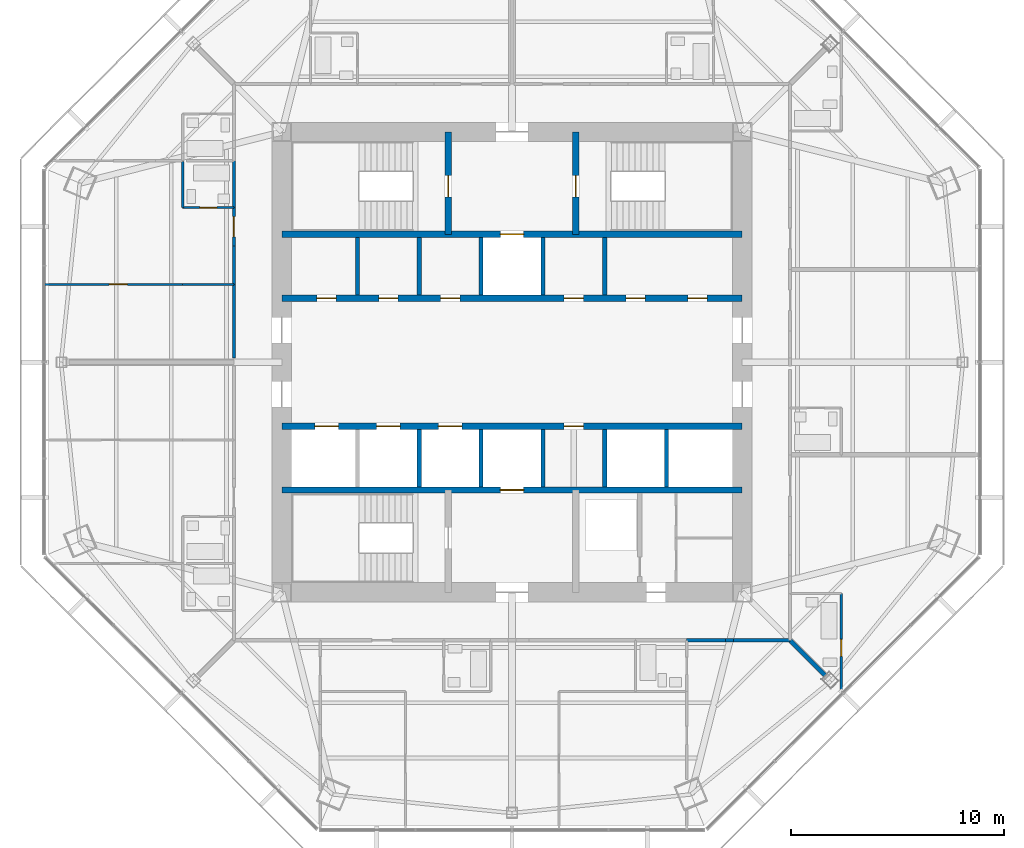
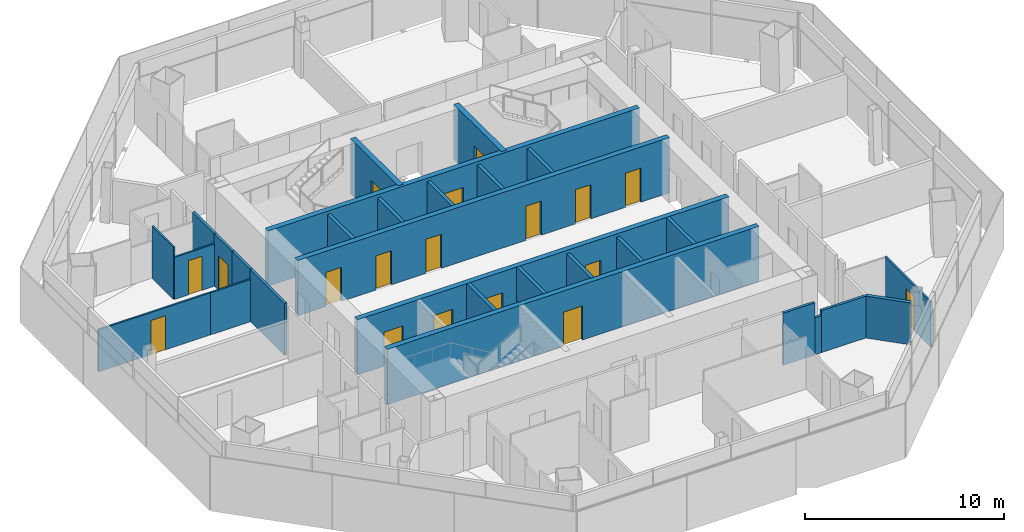
# One storey, part 10 of 15: 29 walls, 18 doors, 18 openings.
"""IFC4 building model written with IfcOpenShell, lengths in metres."""

from ifc_helpers import new_model, si_unit, direction, frame, frame_2d, origin, place, context, subcontext, project, spatial, rectangle, extrude, material, layer, layer_set, type_object, element, fill, save


model = new_model("IFC4")

# Units and contexts
model_context = context("Model", 3, precision=1e-05, world=origin(), true_north=direction((0.0, 1.0)))
body_context = subcontext(model_context, "Body", "Model", "MODEL_VIEW")
ifc_project = project(units=[si_unit("LENGTHUNIT", "METRE"), si_unit("AREAUNIT", "SQUARE_METRE"), si_unit("VOLUMEUNIT", "CUBIC_METRE"), si_unit("PLANEANGLEUNIT", "RADIAN"), si_unit("MASSUNIT", "GRAM", prefix="KILO")], contexts=[model_context])

# Site, building, storey
site_placement = place(None, origin())
site = spatial("IfcSite", under=ifc_project, at=site_placement, CompositionType="ELEMENT")
building_placement = place(site_placement, origin())
building = spatial("IfcBuilding", under=site, at=building_placement, Name="Mashrafa Tower", CompositionType="ELEMENT")
storey_placement = place(building_placement, frame((0.0, 0.0, 214.199951171875)))
storey = spatial("IfcBuildingStorey", under=building, at=storey_placement, Name="L49", CompositionType="ELEMENT", Elevation=214.199951171875)

# Wall
ifc_material_1 = material(Name="Gypsum board on steel studs", Category="steel")
ifc_layer_1 = layer(ifc_material_1, 0.199951171875)
ifc_layer_set_1 = layer_set([ifc_layer_1], Name="Acoustic partition 200 1 hr")
wall_type_1 = type_object("IfcWallType", Name="Acoustic partition 200 1 hr", PredefinedType="PARTITIONING", material=ifc_layer_set_1)
wall_1_placement = place(storey_placement, frame((13.050048828125, -13.050048828125, 0.0), z_axis=(0.0, 0.0, 1.0), x_axis=(0.707106781187, -0.707106781187, 0.0)))
element("IfcWall", 1, at=wall_1_placement, inside=storey, type_object=wall_type_1, Name="Acoustic wall L49-063", PredefinedType="PARTITIONING", context=body_context, shape_type="SweptSolid", body=[
    extrude(rectangle(XDim=2.334228515625, YDim=0.199951171875, at=frame_2d((1.1669921875, 0.0))), origin(), (0.0, 0.0, 1.0), 2.577880859375),
])

# Wall, openings, doors
ifc_material_2 = material(Name="Concrete C50/60", Category="concrete")
ifc_layer_2 = layer(ifc_material_2, 0.300048828125)
ifc_layer_set_2 = layer_set([ifc_layer_2], Name="Core wall 300 C50/60")
wall_type_2 = type_object("IfcWallType", Name="Core wall 300 C50/60", PredefinedType="SOLIDWALL", material=ifc_layer_set_2)
wall_2_placement = place(storey_placement, frame((-10.800048828125, 3.0, 0.0), z_axis=(0.0, 0.0, 1.0), x_axis=(1.0, 0.0, 0.0)))
wall_2 = element("IfcWall", 2, at=wall_2_placement, inside=storey, type_object=wall_type_2, Name="Core wall CH-N L49", PredefinedType="SOLIDWALL", context=body_context, shape_type="SweptSolid", body=[
    extrude(rectangle(XDim=21.60009765625, YDim=0.300048828125, at=frame_2d((10.800048828125, 0.0))), origin(), (0.0, 0.0, 1.0), 3.400146484375),
])
opening_1_placement = place(wall_2_placement, frame((1.64990234375, 0.0, 0.0)))
opening_1 = element("IfcOpeningElement", 3, at=opening_1_placement, cuts=wall_2, Name="Opening 49.043", PredefinedType="OPENING", context=body_context, shape_type="SweptSolid", body=[
    extrude(rectangle(XDim=0.89990234375, YDim=2.10009765625, at=frame_2d((0.449951171875, 1.050048828125))), frame((0.0, 0.159912109375, 0.0), z_axis=(0.0, -1.0, 0.0), x_axis=(1.0, 0.0, 0.0)), (0.0, 0.0, 1.0), 0.320068359375),
])
opening_2_placement = place(wall_2_placement, frame((7.449951171875, 0.0, 0.0)))
opening_2 = element("IfcOpeningElement", 4, at=opening_2_placement, cuts=wall_2, Name="Opening 49.044", PredefinedType="OPENING", context=body_context, shape_type="SweptSolid", body=[
    extrude(rectangle(XDim=0.89990234375, YDim=2.10009765625, at=frame_2d((0.449951171875, 1.050048828125))), frame((0.0, 0.159912109375, 0.0), z_axis=(0.0, -1.0, 0.0), x_axis=(1.0, 0.0, 0.0)), (0.0, 0.0, 1.0), 0.320068359375),
])
opening_3_placement = place(wall_2_placement, frame((13.25, 0.0, 0.0)))
opening_3 = element("IfcOpeningElement", 5, at=opening_3_placement, cuts=wall_2, Name="Opening 49.045", PredefinedType="OPENING", context=body_context, shape_type="SweptSolid", body=[
    extrude(rectangle(XDim=0.89990234375, YDim=2.10009765625, at=frame_2d((0.449951171875, 1.050048828125))), frame((0.0, 0.159912109375, 0.0), z_axis=(0.0, -1.0, 0.0), x_axis=(1.0, 0.0, 0.0)), (0.0, 0.0, 1.0), 0.320068359375),
])
opening_4_placement = place(wall_2_placement, frame((16.14990234375, 0.0, 0.0)))
opening_4 = element("IfcOpeningElement", 6, at=opening_4_placement, cuts=wall_2, Name="Opening 49.046", PredefinedType="OPENING", context=body_context, shape_type="SweptSolid", body=[
    extrude(rectangle(XDim=0.89990234375, YDim=2.10009765625, at=frame_2d((0.449951171875, 1.050048828125))), frame((0.0, 0.159912109375, 0.0), z_axis=(0.0, -1.0, 0.0), x_axis=(1.0, 0.0, 0.0)), (0.0, 0.0, 1.0), 0.320068359375),
])
opening_5_placement = place(wall_2_placement, frame((19.050048828125, 0.0, 0.0)))
opening_5 = element("IfcOpeningElement", 7, at=opening_5_placement, cuts=wall_2, Name="Opening 49.047", PredefinedType="OPENING", context=body_context, shape_type="SweptSolid", body=[
    extrude(rectangle(XDim=0.89990234375, YDim=2.10009765625, at=frame_2d((0.449951171875, 1.050048828125))), frame((0.0, 0.159912109375, 0.0), z_axis=(0.0, -1.0, 0.0), x_axis=(1.0, 0.0, 0.0)), (0.0, 0.0, 1.0), 0.320068359375),
])
opening_6_placement = place(wall_2_placement, frame((4.550048828125, 0.0, 0.0)))
opening_6 = element("IfcOpeningElement", 8, at=opening_6_placement, cuts=wall_2, Name="Opening 49.048", PredefinedType="OPENING", context=body_context, shape_type="SweptSolid", body=[
    extrude(rectangle(XDim=0.89990234375, YDim=2.10009765625, at=frame_2d((0.449951171875, 1.050048828125))), frame((0.0, 0.159912109375, 0.0), z_axis=(0.0, -1.0, 0.0), x_axis=(1.0, 0.0, 0.0)), (0.0, 0.0, 1.0), 0.320068359375),
])
ifc_material_3 = material(Name="Timber door", Category="wood")
door_type_1 = type_object("IfcDoorType", Name="Store door 900 x 2100", OperationType="USERDEFINED", PredefinedType="DOOR", material=ifc_material_3)
door_1_placement = place(opening_1_placement, origin())
door_1 = element("IfcDoor", 9, at=door_1_placement, inside=storey, type_object=door_type_1, Name="Refuse Chute Room L49 door", OperationType="SINGLE_SWING_RIGHT", OverallHeight=2.10009765625, OverallWidth=0.89990234375, PredefinedType="DOOR", context=body_context, shape_type="SweptSolid", body=[
    extrude(rectangle(XDim=0.89990234375, YDim=2.10009765625, at=frame_2d((0.449951171875, 1.050048828125))), frame((0.0, 0.02490234375, 0.0), z_axis=(0.0, -1.0, 0.0), x_axis=(1.0, 0.0, 0.0)), (0.0, 0.0, 1.0), 0.050048828125),
])
fill(opening_1, door_1)
door_2_placement = place(opening_2_placement, origin())
door_2 = element("IfcDoor", 10, at=door_2_placement, inside=storey, type_object=door_type_1, Name="Vending and Ice Room L49 door", OperationType="SINGLE_SWING_LEFT", OverallHeight=2.10009765625, OverallWidth=0.89990234375, PredefinedType="DOOR", context=body_context, shape_type="SweptSolid", body=[
    extrude(rectangle(XDim=0.89990234375, YDim=2.10009765625, at=frame_2d((0.449951171875, 1.050048828125))), frame((0.0, 0.02490234375, 0.0), z_axis=(0.0, -1.0, 0.0), x_axis=(1.0, 0.0, 0.0)), (0.0, 0.0, 1.0), 0.050048828125),
])
fill(opening_2, door_2)
door_3_placement = place(opening_3_placement, origin())
door_3 = element("IfcDoor", 11, at=door_3_placement, inside=storey, type_object=door_type_1, Name="Cleaner's Store L49 door", OperationType="SINGLE_SWING_LEFT", OverallHeight=2.10009765625, OverallWidth=0.89990234375, PredefinedType="DOOR", context=body_context, shape_type="SweptSolid", body=[
    extrude(rectangle(XDim=0.89990234375, YDim=2.10009765625, at=frame_2d((0.449951171875, 1.050048828125))), frame((0.0, 0.02490234375, 0.0), z_axis=(0.0, -1.0, 0.0), x_axis=(1.0, 0.0, 0.0)), (0.0, 0.0, 1.0), 0.050048828125),
])
fill(opening_3, door_3)
door_4_placement = place(opening_4_placement, origin())
door_4 = element("IfcDoor", 12, at=door_4_placement, inside=storey, type_object=door_type_1, Name="Parcel Room L49 door", OperationType="SINGLE_SWING_LEFT", OverallHeight=2.10009765625, OverallWidth=0.89990234375, PredefinedType="DOOR", context=body_context, shape_type="SweptSolid", body=[
    extrude(rectangle(XDim=0.89990234375, YDim=2.10009765625, at=frame_2d((0.449951171875, 1.050048828125))), frame((0.0, 0.02490234375, 0.0), z_axis=(0.0, -1.0, 0.0), x_axis=(1.0, 0.0, 0.0)), (0.0, 0.0, 1.0), 0.050048828125),
])
fill(opening_4, door_4)
door_5_placement = place(opening_5_placement, origin())
door_5 = element("IfcDoor", 13, at=door_5_placement, inside=storey, type_object=door_type_1, Name="Parcel Room L49 door", OperationType="SINGLE_SWING_RIGHT", OverallHeight=2.10009765625, OverallWidth=0.89990234375, PredefinedType="DOOR", context=body_context, shape_type="SweptSolid", body=[
    extrude(rectangle(XDim=0.89990234375, YDim=2.10009765625, at=frame_2d((0.449951171875, 1.050048828125))), frame((0.0, 0.02490234375, 0.0), z_axis=(0.0, -1.0, 0.0), x_axis=(1.0, 0.0, 0.0)), (0.0, 0.0, 1.0), 0.050048828125),
])
fill(opening_5, door_5)
door_6_placement = place(opening_6_placement, origin())
door_6 = element("IfcDoor", 14, at=door_6_placement, inside=storey, type_object=door_type_1, Name="Residents' Store L49-A2 door", OperationType="SINGLE_SWING_LEFT", OverallHeight=2.10009765625, OverallWidth=0.89990234375, PredefinedType="DOOR", context=body_context, shape_type="SweptSolid", body=[
    extrude(rectangle(XDim=0.89990234375, YDim=2.10009765625, at=frame_2d((0.449951171875, 1.050048828125))), frame((0.0, 0.02490234375, 0.0), z_axis=(0.0, -1.0, 0.0), x_axis=(1.0, 0.0, 0.0)), (0.0, 0.0, 1.0), 0.050048828125),
])
fill(opening_6, door_6)

# Wall, opening, door
wall_3_placement = place(storey_placement, frame((-10.800048828125, 6.0, 0.0), z_axis=(0.0, 0.0, 1.0), x_axis=(1.0, 0.0, 0.0)))
wall_3 = element("IfcWall", 15, at=wall_3_placement, inside=storey, type_object=wall_type_2, Name="Core wall CB-N L49", PredefinedType="SOLIDWALL", context=body_context, shape_type="SweptSolid", body=[
    extrude(rectangle(XDim=21.60009765625, YDim=0.300048828125, at=frame_2d((10.800048828125, 0.0))), origin(), (0.0, 0.0, 1.0), 3.400146484375),
])
opening_7_placement = place(wall_3_placement, frame((10.25, 0.0, 0.0)))
opening_7 = element("IfcOpeningElement", 16, at=opening_7_placement, cuts=wall_3, Name="Opening 49.F1", PredefinedType="OPENING", context=body_context, shape_type="SweptSolid", body=[
    extrude(rectangle(XDim=1.10009765625, YDim=2.10009765625, at=frame_2d((0.550048828125, 1.050048828125))), frame((0.0, 0.159912109375, 0.0), z_axis=(0.0, -1.0, 0.0), x_axis=(1.0, 0.0, 0.0)), (0.0, 0.0, 1.0), 0.320068359375),
])
ifc_material_4 = material(Name="Steel door", Category="steel")
door_type_2 = type_object("IfcDoorType", Name="Lift landing door 1100 x 2100 90 min", OperationType="DOUBLE_DOOR_SLIDING", PredefinedType="DOOR", material=ifc_material_4)
door_7_placement = place(opening_7_placement, origin())
door_7 = element("IfcDoor", 17, at=door_7_placement, inside=storey, type_object=door_type_2, Name="Lift landing door F1 L49", OperationType="DOUBLE_DOOR_SLIDING", OverallHeight=2.10009765625, OverallWidth=1.10009765625, PredefinedType="DOOR", context=body_context, shape_type="SweptSolid", body=[
    extrude(rectangle(XDim=1.10009765625, YDim=2.10009765625, at=frame_2d((0.550048828125, 1.050048828125))), frame((0.0, 0.02490234375, 0.0), z_axis=(0.0, -1.0, 0.0), x_axis=(1.0, 0.0, 0.0)), (0.0, 0.0, 1.0), 0.050048828125),
])
fill(opening_7, door_7)

wall_4_placement = place(storey_placement, frame((-3.0, 6.0, 0.0), z_axis=(0.0, 0.0, 1.0), x_axis=(0.0, 1.0, 0.0)))
wall_4 = element("IfcWall", 18, at=wall_4_placement, inside=storey, type_object=wall_type_2, Name="Core wall CX-NW L49", PredefinedType="SOLIDWALL", context=body_context, shape_type="SweptSolid", body=[
    extrude(rectangle(XDim=4.800048828125, YDim=0.300048828125, at=frame_2d((2.39990234375, 0.0))), origin(), (0.0, 0.0, 1.0), 3.400146484375),
])
opening_8_placement = place(wall_4_placement, frame((1.75, 0.0, 0.0)))
opening_8 = element("IfcOpeningElement", 19, at=opening_8_placement, cuts=wall_4, Name="Opening 49.036", PredefinedType="OPENING", context=body_context, shape_type="SweptSolid", body=[
    extrude(rectangle(XDim=1.0, YDim=2.10009765625, at=frame_2d((0.5, 1.050048828125))), frame((0.0, 0.159912109375, 0.0), z_axis=(0.0, -1.0, 0.0), x_axis=(1.0, 0.0, 0.0)), (0.0, 0.0, 1.0), 0.320068359375),
])
ifc_material_5 = material(Name="Steel door", Category="steel")
door_type_3 = type_object("IfcDoorType", Name="Stair door 1000 x 2100 90 min", OperationType="USERDEFINED", PredefinedType="DOOR", material=ifc_material_5)
door_8_placement = place(opening_8_placement, origin())
door_8 = element("IfcDoor", 20, at=door_8_placement, inside=storey, type_object=door_type_3, Name="Stair S1 door L49", OperationType="SINGLE_SWING_LEFT", OverallHeight=2.10009765625, OverallWidth=1.0, PredefinedType="DOOR", context=body_context, shape_type="SweptSolid", body=[
    extrude(rectangle(XDim=1.0, YDim=2.10009765625, at=frame_2d((0.5, 1.050048828125))), frame((0.0, 0.02490234375, 0.0), z_axis=(0.0, -1.0, 0.0), x_axis=(1.0, 0.0, 0.0)), (0.0, 0.0, 1.0), 0.050048828125),
])
fill(opening_8, door_8)

wall_5_placement = place(storey_placement, frame((3.0, 6.0, 0.0), z_axis=(0.0, 0.0, 1.0), x_axis=(0.0, 1.0, 0.0)))
wall_5 = element("IfcWall", 21, at=wall_5_placement, inside=storey, type_object=wall_type_2, Name="Core wall CX-NE L49", PredefinedType="SOLIDWALL", context=body_context, shape_type="SweptSolid", body=[
    extrude(rectangle(XDim=4.800048828125, YDim=0.300048828125, at=frame_2d((2.39990234375, 0.0))), origin(), (0.0, 0.0, 1.0), 3.400146484375),
])
opening_9_placement = place(wall_5_placement, frame((1.75, 0.0, 0.0)))
opening_9 = element("IfcOpeningElement", 22, at=opening_9_placement, cuts=wall_5, Name="Opening 49.037", PredefinedType="OPENING", context=body_context, shape_type="SweptSolid", body=[
    extrude(rectangle(XDim=1.0, YDim=2.10009765625, at=frame_2d((0.5, 1.050048828125))), frame((0.0, 0.159912109375, 0.0), z_axis=(0.0, -1.0, 0.0), x_axis=(1.0, 0.0, 0.0)), (0.0, 0.0, 1.0), 0.320068359375),
])
door_9_placement = place(opening_9_placement, frame((1.0, 0.0, 0.0), z_axis=(0.0, 0.0, 1.0), x_axis=(-1.0, 0.0, 0.0)))
door_9 = element("IfcDoor", 23, at=door_9_placement, inside=storey, type_object=door_type_3, Name="Stair S2 door L49", OperationType="SINGLE_SWING_RIGHT", OverallHeight=2.10009765625, OverallWidth=1.0, PredefinedType="DOOR", context=body_context, shape_type="SweptSolid", body=[
    extrude(rectangle(XDim=1.0, YDim=2.10009765625, at=frame_2d((0.5, 1.050048828125))), frame((0.0, 0.02490234375, 0.0), z_axis=(0.0, -1.0, 0.0), x_axis=(1.0, 0.0, 0.0)), (0.0, 0.0, 1.0), 0.050048828125),
])
fill(opening_9, door_9)

# Wall, openings, doors
wall_6_placement = place(storey_placement, frame((-10.800048828125, -3.0, 0.0), z_axis=(0.0, 0.0, 1.0), x_axis=(1.0, 0.0, 0.0)))
wall_6 = element("IfcWall", 24, at=wall_6_placement, inside=storey, type_object=wall_type_2, Name="Core wall CH-S L49", PredefinedType="SOLIDWALL", context=body_context, shape_type="SweptSolid", body=[
    extrude(rectangle(XDim=21.60009765625, YDim=0.300048828125, at=frame_2d((10.800048828125, 0.0))), origin(), (0.0, 0.0, 1.0), 3.400146484375),
])
opening_10_placement = place(wall_6_placement, frame((13.25, 0.0, 0.0)))
opening_10 = element("IfcOpeningElement", 25, at=opening_10_placement, cuts=wall_6, Name="Opening 49.049", PredefinedType="OPENING", context=body_context, shape_type="SweptSolid", body=[
    extrude(rectangle(XDim=0.89990234375, YDim=2.10009765625, at=frame_2d((0.449951171875, 1.050048828125))), frame((0.0, 0.159912109375, 0.0), z_axis=(0.0, -1.0, 0.0), x_axis=(1.0, 0.0, 0.0)), (0.0, 0.0, 1.0), 0.320068359375),
])
opening_11_placement = place(wall_6_placement, frame((1.550048828125, 0.0, 0.0)))
opening_11 = element("IfcOpeningElement", 26, at=opening_11_placement, cuts=wall_6, Name="Opening 49.AL1", PredefinedType="OPENING", context=body_context, shape_type="SweptSolid", body=[
    extrude(rectangle(XDim=1.10009765625, YDim=2.10009765625, at=frame_2d((0.550048828125, 1.050048828125))), frame((0.0, 0.159912109375, 0.0), z_axis=(0.0, -1.0, 0.0), x_axis=(1.0, 0.0, 0.0)), (0.0, 0.0, 1.0), 0.320068359375),
])
opening_12_placement = place(wall_6_placement, frame((4.449951171875, 0.0, 0.0)))
opening_12 = element("IfcOpeningElement", 27, at=opening_12_placement, cuts=wall_6, Name="Opening 49.AL2", PredefinedType="OPENING", context=body_context, shape_type="SweptSolid", body=[
    extrude(rectangle(XDim=1.10009765625, YDim=2.10009765625, at=frame_2d((0.550048828125, 1.050048828125))), frame((0.0, 0.159912109375, 0.0), z_axis=(0.0, -1.0, 0.0), x_axis=(1.0, 0.0, 0.0)), (0.0, 0.0, 1.0), 0.320068359375),
])
opening_13_placement = place(wall_6_placement, frame((7.35009765625, 0.0, 0.0)))
opening_13 = element("IfcOpeningElement", 28, at=opening_13_placement, cuts=wall_6, Name="Opening 49.AL3", PredefinedType="OPENING", context=body_context, shape_type="SweptSolid", body=[
    extrude(rectangle(XDim=1.10009765625, YDim=2.10009765625, at=frame_2d((0.550048828125, 1.050048828125))), frame((0.0, 0.159912109375, 0.0), z_axis=(0.0, -1.0, 0.0), x_axis=(1.0, 0.0, 0.0)), (0.0, 0.0, 1.0), 0.320068359375),
])
door_10_placement = place(opening_11_placement, origin())
door_10 = element("IfcDoor", 29, at=door_10_placement, inside=storey, type_object=door_type_2, Name="Lift landing door AL1 L49", OperationType="DOUBLE_DOOR_SLIDING", OverallHeight=2.10009765625, OverallWidth=1.10009765625, PredefinedType="DOOR", context=body_context, shape_type="SweptSolid", body=[
    extrude(rectangle(XDim=1.10009765625, YDim=2.10009765625, at=frame_2d((0.550048828125, 1.050048828125))), frame((0.0, 0.02490234375, 0.0), z_axis=(0.0, -1.0, 0.0), x_axis=(1.0, 0.0, 0.0)), (0.0, 0.0, 1.0), 0.050048828125),
])
fill(opening_11, door_10)
door_11_placement = place(opening_12_placement, origin())
door_11 = element("IfcDoor", 30, at=door_11_placement, inside=storey, type_object=door_type_2, Name="Lift landing door AL2 L49", OperationType="DOUBLE_DOOR_SLIDING", OverallHeight=2.10009765625, OverallWidth=1.10009765625, PredefinedType="DOOR", context=body_context, shape_type="SweptSolid", body=[
    extrude(rectangle(XDim=1.10009765625, YDim=2.10009765625, at=frame_2d((0.550048828125, 1.050048828125))), frame((0.0, 0.02490234375, 0.0), z_axis=(0.0, -1.0, 0.0), x_axis=(1.0, 0.0, 0.0)), (0.0, 0.0, 1.0), 0.050048828125),
])
fill(opening_12, door_11)
door_12_placement = place(opening_13_placement, origin())
door_12 = element("IfcDoor", 31, at=door_12_placement, inside=storey, type_object=door_type_2, Name="Lift landing door AL3 L49", OperationType="DOUBLE_DOOR_SLIDING", OverallHeight=2.10009765625, OverallWidth=1.10009765625, PredefinedType="DOOR", context=body_context, shape_type="SweptSolid", body=[
    extrude(rectangle(XDim=1.10009765625, YDim=2.10009765625, at=frame_2d((0.550048828125, 1.050048828125))), frame((0.0, 0.02490234375, 0.0), z_axis=(0.0, -1.0, 0.0), x_axis=(1.0, 0.0, 0.0)), (0.0, 0.0, 1.0), 0.050048828125),
])
fill(opening_13, door_12)
door_13_placement = place(opening_10_placement, frame((0.89990234375, 0.0, 0.0), z_axis=(0.0, 0.0, 1.0), x_axis=(-1.0, 0.0, 0.0)))
door_13 = element("IfcDoor", 32, at=door_13_placement, inside=storey, type_object=door_type_1, Name="Residents' Store L49-B4 door", OperationType="SINGLE_SWING_RIGHT", OverallHeight=2.10009765625, OverallWidth=0.89990234375, PredefinedType="DOOR", context=body_context, shape_type="SweptSolid", body=[
    extrude(rectangle(XDim=0.89990234375, YDim=2.10009765625, at=frame_2d((0.449951171875, 1.050048828125))), frame((0.0, 0.02490234375, 0.0), z_axis=(0.0, -1.0, 0.0), x_axis=(1.0, 0.0, 0.0)), (0.0, 0.0, 1.0), 0.050048828125),
])
fill(opening_10, door_13)

# Wall, opening, door
wall_7_placement = place(storey_placement, frame((-10.800048828125, -6.0, 0.0), z_axis=(0.0, 0.0, 1.0), x_axis=(1.0, 0.0, 0.0)))
wall_7 = element("IfcWall", 33, at=wall_7_placement, inside=storey, type_object=wall_type_2, Name="Core wall CB-S L49", PredefinedType="SOLIDWALL", context=body_context, shape_type="SweptSolid", body=[
    extrude(rectangle(XDim=21.60009765625, YDim=0.300048828125, at=frame_2d((10.800048828125, 0.0))), origin(), (0.0, 0.0, 1.0), 3.400146484375),
])
opening_14_placement = place(wall_7_placement, frame((10.25, 0.0, 0.0)))
opening_14 = element("IfcOpeningElement", 34, at=opening_14_placement, cuts=wall_7, Name="Opening 49.F2", PredefinedType="OPENING", context=body_context, shape_type="SweptSolid", body=[
    extrude(rectangle(XDim=1.10009765625, YDim=2.10009765625, at=frame_2d((0.550048828125, 1.050048828125))), frame((0.0, 0.159912109375, 0.0), z_axis=(0.0, -1.0, 0.0), x_axis=(1.0, 0.0, 0.0)), (0.0, 0.0, 1.0), 0.320068359375),
])
door_14_placement = place(opening_14_placement, origin())
door_14 = element("IfcDoor", 35, at=door_14_placement, inside=storey, type_object=door_type_2, Name="Lift landing door F2 L49", OperationType="DOUBLE_DOOR_SLIDING", OverallHeight=2.10009765625, OverallWidth=1.10009765625, PredefinedType="DOOR", context=body_context, shape_type="SweptSolid", body=[
    extrude(rectangle(XDim=1.10009765625, YDim=2.10009765625, at=frame_2d((0.550048828125, 1.050048828125))), frame((0.0, 0.02490234375, 0.0), z_axis=(0.0, -1.0, 0.0), x_axis=(1.0, 0.0, 0.0)), (0.0, 0.0, 1.0), 0.050048828125),
])
fill(opening_14, door_14)

# Walls
ifc_material_6 = material(Name="Gypsum board on steel studs", Category="steel")
ifc_layer_3 = layer(ifc_material_6, 0.14990234375)
ifc_layer_set_3 = layer_set([ifc_layer_3], Name="Corridor partition 150 1 hr")
wall_type_3 = type_object("IfcWallType", Name="Corridor partition 150 1 hr", PredefinedType="PARTITIONING", material=ifc_layer_set_3)
wall_8_placement = place(storey_placement, frame((-13.050048828125, 9.450927734375, 0.0), z_axis=(0.0, 0.0, 1.0), x_axis=(0.0, -1.0, 0.0)))
element("IfcWall", 36, at=wall_8_placement, inside=storey, type_object=wall_type_3, Name="Corridor wall L49-036", PredefinedType="PARTITIONING", context=body_context, shape_type="SweptSolid", body=[
    extrude(rectangle(XDim=2.201904296875, YDim=0.14990234375, at=frame_2d((1.10107421875, 0.0))), origin(), (0.0, 0.0, 1.0), 3.199951171875),
])
wall_9_placement = place(storey_placement, frame((-13.050048828125, 5.450927734375, 0.0), z_axis=(0.0, 0.0, 1.0), x_axis=(0.0, -1.0, 0.0)))
element("IfcWall", 37, at=wall_9_placement, inside=storey, type_object=wall_type_3, Name="Corridor wall L49-037", PredefinedType="PARTITIONING", context=body_context, shape_type="SweptSolid", body=[
    extrude(rectangle(XDim=1.802001953125, YDim=0.14990234375, at=frame_2d((0.90087890625, 0.0))), origin(), (0.0, 0.0, 1.0), 3.199951171875),
])
wall_10_placement = place(storey_placement, frame((-13.050048828125, 3.65087890625, 0.0), z_axis=(0.0, 0.0, 1.0), x_axis=(0.0, -1.0, 0.0)))
element("IfcWall", 38, at=wall_10_placement, inside=storey, type_object=wall_type_3, Name="Corridor wall L49-038", PredefinedType="PARTITIONING", context=body_context, shape_type="SweptSolid", body=[
    extrude(rectangle(XDim=3.46728515625, YDim=0.14990234375, at=frame_2d((1.733642578125, 0.0))), origin(), (0.0, 0.0, 1.0), 3.199951171875),
])

# Wall, opening, door
wall_11_placement = place(storey_placement, frame((-13.050048828125, 7.2509765625, 0.0), z_axis=(0.0, 0.0, 1.0), x_axis=(0.0, -1.0, 0.0)))
wall_11 = element("IfcWall", 39, at=wall_11_placement, inside=storey, type_object=wall_type_3, Name="Corridor wall L49-039", PredefinedType="PARTITIONING", context=body_context, shape_type="SweptSolid", body=[
    extrude(rectangle(XDim=1.802001953125, YDim=0.14990234375, at=frame_2d((0.90087890625, 0.0))), origin(), (0.0, 0.0, 1.0), 3.199951171875),
])
opening_15_placement = place(wall_11_placement, frame((0.426025390625, 0.0, 0.0)))
opening_15 = element("IfcOpeningElement", 40, at=opening_15_placement, cuts=wall_11, Name="Opening 49.017", PredefinedType="OPENING", context=body_context, shape_type="SweptSolid", body=[
    extrude(rectangle(XDim=0.949951171875, YDim=2.10009765625, at=frame_2d((0.47509765625, 1.050048828125))), frame((0.0, 0.0849609375, 0.0), z_axis=(0.0, -1.0, 0.0), x_axis=(1.0, 0.0, 0.0)), (0.0, 0.0, 1.0), 0.169921875),
])
ifc_material_7 = material(Name="Steel door", Category="steel")
door_type_4 = type_object("IfcDoorType", Name="Residence entrance door 950 x 2100 20 min", OperationType="USERDEFINED", PredefinedType="DOOR", material=ifc_material_7)
door_15_placement = place(opening_15_placement, frame((0.949951171875, 0.0, 0.0), z_axis=(0.0, 0.0, 1.0), x_axis=(-1.0, 0.0, 0.0)))
door_15 = element("IfcDoor", 41, at=door_15_placement, inside=storey, type_object=door_type_4, Name="Apartment 4906 Living Room door", OperationType="SINGLE_SWING_LEFT", OverallHeight=2.10009765625, OverallWidth=0.949951171875, PredefinedType="DOOR", context=body_context, shape_type="SweptSolid", body=[
    extrude(rectangle(XDim=0.949951171875, YDim=2.10009765625, at=frame_2d((0.47509765625, 1.050048828125))), frame((0.0, 0.02490234375, 0.0), z_axis=(0.0, -1.0, 0.0), x_axis=(1.0, 0.0, 0.0)), (0.0, 0.0, 1.0), 0.050048828125),
])
fill(opening_15, door_15)

# Walls
wall_12_placement = place(storey_placement, frame((8.198974609375, -13.050048828125, 0.0), z_axis=(0.0, 0.0, 1.0), x_axis=(1.0, 0.0, 0.0)))
element("IfcWall", 42, at=wall_12_placement, inside=storey, type_object=wall_type_3, Name="Corridor wall L49-056", PredefinedType="PARTITIONING", context=body_context, shape_type="SweptSolid", body=[
    extrude(rectangle(XDim=1.828125, YDim=0.14990234375, at=frame_2d((0.9140625, 0.0))), origin(), (0.0, 0.0, 1.0), 3.199951171875),
])
wall_13_placement = place(storey_placement, frame((10.404052734375, -13.050048828125, 0.0), z_axis=(0.0, 0.0, 1.0), x_axis=(1.0, 0.0, 0.0)))
element("IfcWall", 43, at=wall_13_placement, inside=storey, type_object=wall_type_3, Name="Corridor wall L49-057", PredefinedType="PARTITIONING", context=body_context, shape_type="SweptSolid", body=[
    extrude(rectangle(XDim=2.64599609375, YDim=0.14990234375, at=frame_2d((1.322998046875, 0.0))), origin(), (0.0, 0.0, 1.0), 2.577880859375),
])
wall_14_placement = place(storey_placement, frame((10.027099609375, -13.050048828125, 0.0), z_axis=(0.0, 0.0, 1.0), x_axis=(1.0, 0.0, 0.0)))
element("IfcWall", 44, at=wall_14_placement, inside=storey, type_object=wall_type_3, Name="Corridor wall L49-058", PredefinedType="PARTITIONING", context=body_context, shape_type="SweptSolid", body=[
    extrude(rectangle(XDim=0.376953125, YDim=0.14990234375, at=frame_2d((0.1884765625, 0.0))), origin(), (0.0, 0.0, 1.0), 2.26806640625),
])

# Wall, opening, door
ifc_material_8 = material(Name="Gypsum board on steel studs", Category="steel")
ifc_layer_4 = layer(ifc_material_8, 0.10009765625)
ifc_layer_set_4 = layer_set([ifc_layer_4], Name="Partition 100")
wall_type_4 = type_object("IfcWallType", Name="Partition 100", PredefinedType="PARTITIONING", material=ifc_layer_set_4)
wall_15_placement = place(storey_placement, frame((15.449951171875, -15.46728515625, 0.0), z_axis=(0.0, 0.0, 1.0), x_axis=(0.0, 1.0, 0.0)))
wall_15 = element("IfcWall", 45, at=wall_15_placement, inside=storey, type_object=wall_type_4, Name="Partition wall L49-061", PredefinedType="PARTITIONING", context=body_context, shape_type="SweptSolid", body=[
    extrude(rectangle(XDim=4.6171875, YDim=0.10009765625, at=frame_2d((2.30859375, 0.0))), origin(), (0.0, 0.0, 1.0), 2.78369140625),
])
opening_16_placement = place(wall_15_placement, frame((1.656494140625, 0.0, 0.0)))
opening_16 = element("IfcOpeningElement", 46, at=opening_16_placement, cuts=wall_15, Name="Opening 49.001", PredefinedType="OPENING", context=body_context, shape_type="SweptSolid", body=[
    extrude(rectangle(XDim=0.800048828125, YDim=2.10009765625, at=frame_2d((0.39990234375, 1.050048828125))), frame((0.0, 0.06005859375, 0.0), z_axis=(0.0, -1.0, 0.0), x_axis=(1.0, 0.0, 0.0)), (0.0, 0.0, 1.0), 0.1201171875),
])
ifc_material_9 = material(Name="Timber door", Category="wood")
door_type_5 = type_object("IfcDoorType", Name="Bathroom door 800 x 2100", OperationType="USERDEFINED", PredefinedType="DOOR", material=ifc_material_9)
door_16_placement = place(opening_16_placement, origin())
door_16 = element("IfcDoor", 47, at=door_16_placement, inside=storey, type_object=door_type_5, Name="Apartment 4901 Bathroom door", OperationType="SINGLE_SWING_LEFT", OverallHeight=2.10009765625, OverallWidth=0.800048828125, PredefinedType="DOOR", context=body_context, shape_type="SweptSolid", body=[
    extrude(rectangle(XDim=0.800048828125, YDim=2.10009765625, at=frame_2d((0.39990234375, 1.050048828125))), frame((0.0, 0.02490234375, 0.0), z_axis=(0.0, -1.0, 0.0), x_axis=(1.0, 0.0, 0.0)), (0.0, 0.0, 1.0), 0.050048828125),
])
fill(opening_16, door_16)

# Wall
wall_16_placement = place(storey_placement, frame((-15.449951171875, 9.403564453125, 0.0), z_axis=(0.0, 0.0, 1.0), x_axis=(0.0, -1.0, 0.0)))
element("IfcWall", 48, at=wall_16_placement, inside=storey, type_object=wall_type_4, Name="Partition wall L49-090", PredefinedType="PARTITIONING", context=body_context, shape_type="SweptSolid", body=[
    extrude(rectangle(XDim=2.153564453125, YDim=0.10009765625, at=frame_2d((1.07666015625, 0.0))), origin(), (0.0, 0.0, 1.0), 3.199951171875),
])

# Wall, opening, door
wall_17_placement = place(storey_placement, frame((-15.449951171875, 7.25, 0.0), z_axis=(0.0, 0.0, 1.0), x_axis=(1.0, 0.0, 0.0)))
wall_17 = element("IfcWall", 49, at=wall_17_placement, inside=storey, type_object=wall_type_4, Name="Partition wall L49-091", PredefinedType="PARTITIONING", context=body_context, shape_type="SweptSolid", body=[
    extrude(rectangle(XDim=2.39990234375, YDim=0.10009765625, at=frame_2d((1.199951171875, 0.0))), origin(), (0.0, 0.0, 1.0), 2.590576171875),
])
opening_17_placement = place(wall_17_placement, frame((0.800048828125, 0.0, 0.0)))
opening_17 = element("IfcOpeningElement", 50, at=opening_17_placement, cuts=wall_17, Name="Opening 49.015", PredefinedType="OPENING", context=body_context, shape_type="SweptSolid", body=[
    extrude(rectangle(XDim=0.800048828125, YDim=2.10009765625, at=frame_2d((0.39990234375, 1.050048828125))), frame((0.0, 0.06005859375, 0.0), z_axis=(0.0, -1.0, 0.0), x_axis=(1.0, 0.0, 0.0)), (0.0, 0.0, 1.0), 0.1201171875),
])
door_17_placement = place(opening_17_placement, origin())
door_17 = element("IfcDoor", 51, at=door_17_placement, inside=storey, type_object=door_type_5, Name="Apartment 4906 Bathroom door", OperationType="SINGLE_SWING_RIGHT", OverallHeight=2.10009765625, OverallWidth=0.800048828125, PredefinedType="DOOR", context=body_context, shape_type="SweptSolid", body=[
    extrude(rectangle(XDim=0.800048828125, YDim=2.10009765625, at=frame_2d((0.39990234375, 1.050048828125))), frame((0.0, 0.02490234375, 0.0), z_axis=(0.0, -1.0, 0.0), x_axis=(1.0, 0.0, 0.0)), (0.0, 0.0, 1.0), 0.050048828125),
])
fill(opening_17, door_17)

# Wall
wall_18_placement = place(storey_placement, frame((-15.449951171875, 3.64990234375, 0.0), z_axis=(0.0, 0.0, 1.0), x_axis=(1.0, 0.0, 0.0)))
element("IfcWall", 52, at=wall_18_placement, inside=storey, type_object=wall_type_4, Name="Partition wall L49-092", PredefinedType="PARTITIONING", context=body_context, shape_type="SweptSolid", body=[
    extrude(rectangle(XDim=2.39990234375, YDim=0.10009765625, at=frame_2d((1.199951171875, 0.0))), origin(), (0.0, 0.0, 1.0), 2.590576171875),
])

# Wall, opening, door
wall_19_placement = place(storey_placement, frame((-15.448974609375, 3.64990234375, 0.0), z_axis=(0.0, 0.0, 1.0), x_axis=(-1.0, 0.0, 0.0)))
wall_19 = element("IfcWall", 53, at=wall_19_placement, inside=storey, type_object=wall_type_4, Name="Partition wall L49-093", PredefinedType="PARTITIONING", context=body_context, shape_type="SweptSolid", body=[
    extrude(rectangle(XDim=6.490234375, YDim=0.10009765625, at=frame_2d((3.2451171875, 0.0))), origin(), (0.0, 0.0, 1.0), 2.590576171875),
])
opening_18_placement = place(wall_19_placement, frame((2.603271484375, 0.0, 0.0)))
opening_18 = element("IfcOpeningElement", 54, at=opening_18_placement, cuts=wall_19, Name="Opening 49.016", PredefinedType="OPENING", context=body_context, shape_type="SweptSolid", body=[
    extrude(rectangle(XDim=0.85009765625, YDim=2.10009765625, at=frame_2d((0.425048828125, 1.050048828125))), frame((0.0, 0.06005859375, 0.0), z_axis=(0.0, -1.0, 0.0), x_axis=(1.0, 0.0, 0.0)), (0.0, 0.0, 1.0), 0.1201171875),
])
ifc_material_10 = material(Name="Timber door", Category="wood")
door_type_6 = type_object("IfcDoorType", Name="Bedroom door 850 x 2100", OperationType="USERDEFINED", PredefinedType="DOOR", material=ifc_material_10)
door_18_placement = place(opening_18_placement, origin())
door_18 = element("IfcDoor", 55, at=door_18_placement, inside=storey, type_object=door_type_6, Name="Apartment 4906 Bedroom 2 door", OperationType="SINGLE_SWING_RIGHT", OverallHeight=2.10009765625, OverallWidth=0.85009765625, PredefinedType="DOOR", context=body_context, shape_type="SweptSolid", body=[
    extrude(rectangle(XDim=0.85009765625, YDim=2.10009765625, at=frame_2d((0.425048828125, 1.050048828125))), frame((0.0, 0.02490234375, 0.0), z_axis=(0.0, -1.0, 0.0), x_axis=(1.0, 0.0, 0.0)), (0.0, 0.0, 1.0), 0.050048828125),
])
fill(opening_18, door_18)

# Walls
ifc_material_11 = material(Name="Gypsum shaft wall on steel studs", Category="steel")
ifc_layer_5 = layer(ifc_material_11, 0.199951171875)
ifc_layer_set_5 = layer_set([ifc_layer_5], Name="Shaft divider wall 200 2 hr")
wall_type_5 = type_object("IfcWallType", Name="Shaft divider wall 200 2 hr", PredefinedType="PARTITIONING", material=ifc_layer_set_5)
for number, where, z_axis, x_axis, name in (
    (56, (-7.25, 3.14990234375, 0.0), (0.0, 0.0, 1.0), (0.0, 1.0, 0.0), "Shaft divider wall N1 L49"),
    (57, (-4.35009765625, 3.14990234375, 0.0), (0.0, 0.0, 1.0), (0.0, 1.0, 0.0), "Shaft divider wall N2 L49"),
    (58, (-1.449951171875, 3.14990234375, 0.0), (0.0, 0.0, 1.0), (0.0, 1.0, 0.0), "Shaft divider wall N3 L49"),
    (59, (1.449951171875, 3.14990234375, 0.0), (0.0, 0.0, 1.0), (0.0, 1.0, 0.0), "Shaft divider wall N4 L49"),
    (60, (4.35009765625, 3.14990234375, 0.0), (0.0, 0.0, 1.0), (0.0, 1.0, 0.0), "Shaft divider wall N5 L49"),
):
    element("IfcWall", number, at=place(storey_placement, frame(where, z_axis=z_axis, x_axis=x_axis)), inside=storey, type_object=wall_type_5, Name=name, PredefinedType="PARTITIONING", context=body_context, shape_type="SweptSolid", body=[
        extrude(rectangle(XDim=2.7001953125, YDim=0.199951171875, at=frame_2d((1.35009765625, 0.0))), origin(), (0.0, 0.0, 1.0), 3.199951171875),
    ])
for number, where, z_axis, x_axis, name in (
    (61, (-4.35009765625, -5.85009765625, 0.0), (0.0, 0.0, 1.0), (0.0, 1.0, 0.0), "Shaft divider wall S2 L49"),
    (62, (-1.449951171875, -5.85009765625, 0.0), (0.0, 0.0, 1.0), (0.0, 1.0, 0.0), "Shaft divider wall S3 L49"),
):
    element("IfcWall", number, at=place(storey_placement, frame(where, z_axis=z_axis, x_axis=x_axis)), inside=storey, type_object=wall_type_5, Name=name, PredefinedType="PARTITIONING", context=body_context, shape_type="SweptSolid", body=[
        extrude(rectangle(XDim=2.7001953125, YDim=0.199951171875, at=frame_2d((1.35009765625, 0.0))), origin(), (0.0, 0.0, 1.0), 3.400146484375),
    ])
for number, where, z_axis, x_axis, name in (
    (63, (1.449951171875, -5.85009765625, 0.0), (0.0, 0.0, 1.0), (0.0, 1.0, 0.0), "Shaft divider wall S4 L49"),
    (64, (4.35009765625, -5.85009765625, 0.0), (0.0, 0.0, 1.0), (0.0, 1.0, 0.0), "Shaft divider wall S5 L49"),
):
    element("IfcWall", number, at=place(storey_placement, frame(where, z_axis=z_axis, x_axis=x_axis)), inside=storey, type_object=wall_type_5, Name=name, PredefinedType="PARTITIONING", context=body_context, shape_type="SweptSolid", body=[
        extrude(rectangle(XDim=2.7001953125, YDim=0.199951171875, at=frame_2d((1.35009765625, 0.0))), origin(), (0.0, 0.0, 1.0), 3.199951171875),
    ])
wall_20_placement = place(storey_placement, frame((7.25, -5.85009765625, 0.0), z_axis=(0.0, 0.0, 1.0), x_axis=(0.0, 1.0, 0.0)))
element("IfcWall", 65, at=wall_20_placement, inside=storey, type_object=wall_type_5, Name="Shaft divider wall S6 L49", PredefinedType="PARTITIONING", context=body_context, shape_type="SweptSolid", body=[
    extrude(rectangle(XDim=2.7001953125, YDim=0.199951171875, at=frame_2d((1.35009765625, 0.0))), origin(), (0.0, 0.0, 1.0), 3.400146484375),
])

save(model, "model.ifc")
